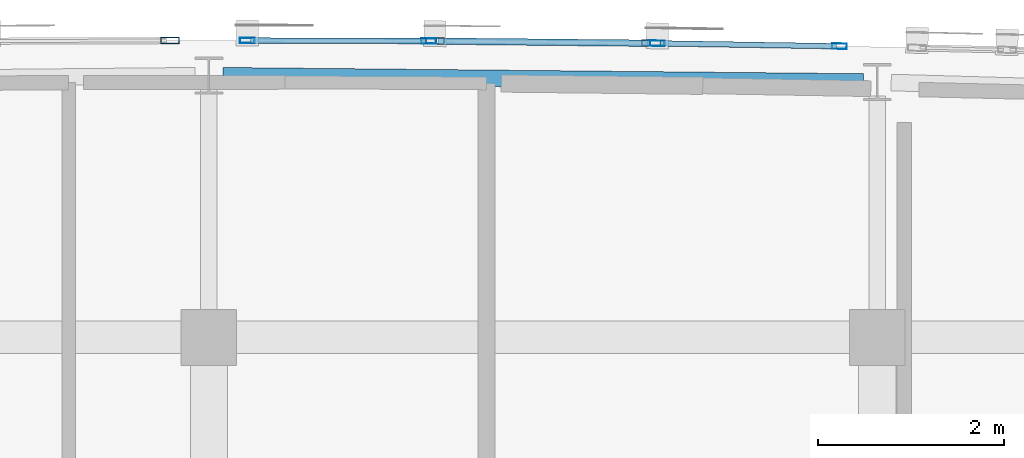
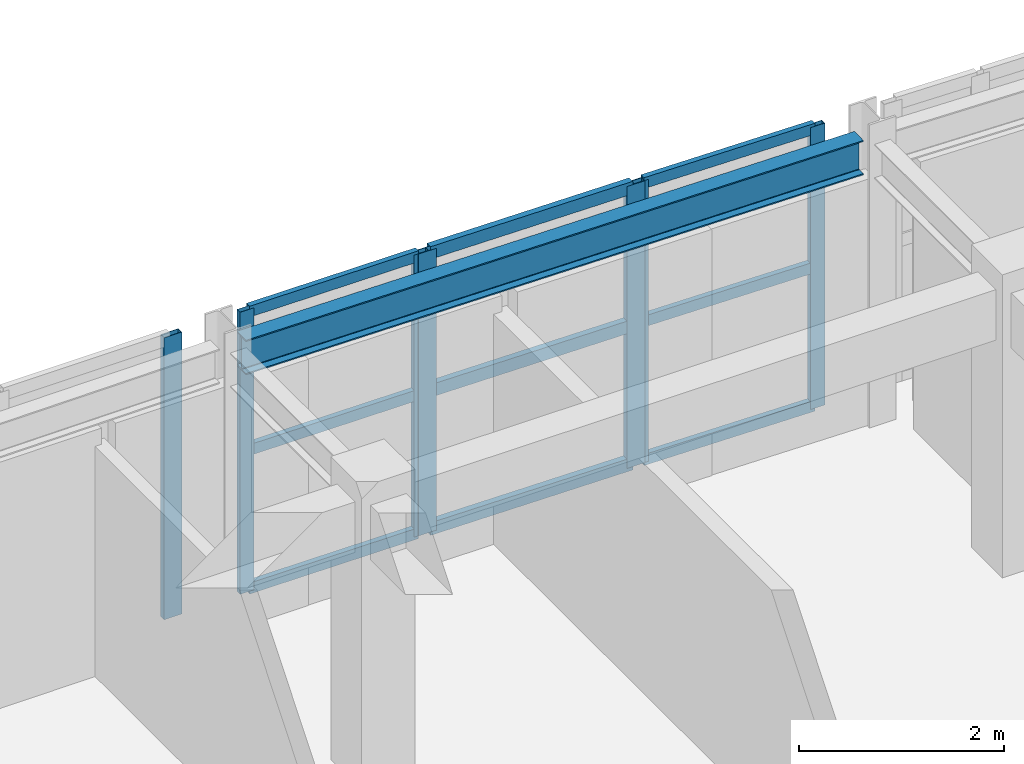
# One storey, part 19 of 50: 16 members, 1 beam, 4 elements without a shape of their own.
"""IFC4 building model written with IfcOpenShell, lengths in metres."""

from ifc_helpers import new_model, si_unit, direction, frame, origin, origin_2d, place, context, subcontext, project, spatial, hollow_rectangle, i_section, extrude, material, layer, layer_set, material_profile, profile_set, type_object, element, aggregate, save


model = new_model("IFC4")

# Units and contexts
model_context = context("Model", 3, precision=1e-05, world=origin(), true_north=direction((0.0, 1.0)))
body_context = subcontext(model_context, "Body", "Model", "MODEL_VIEW")
ifc_project = project(units=[si_unit("LENGTHUNIT", "METRE"), si_unit("AREAUNIT", "SQUARE_METRE"), si_unit("VOLUMEUNIT", "CUBIC_METRE"), si_unit("PLANEANGLEUNIT", "RADIAN"), si_unit("MASSUNIT", "GRAM", prefix="KILO")], contexts=[model_context])

# Site, building, storey
site_placement = place(None, origin())
site = spatial("IfcSite", under=ifc_project, at=site_placement, CompositionType="ELEMENT")
building_placement = place(site_placement, origin())
building = spatial("IfcBuilding", under=site, at=building_placement, Name="Carrowvane Square Congress Hotel", CompositionType="ELEMENT")
storey_placement = place(building_placement, frame((0.0, 0.0, 22.800048828125)))
storey = spatial("IfcBuildingStorey", under=building, at=storey_placement, Name="L05", CompositionType="ELEMENT", Elevation=22.800048828125)

# Beam
ifc_material_1 = material(Name="Steel S355", Category="steel")
ifc_material_profile_1 = material_profile(ifc_material_1, i_section(OverallWidth=0.1787109375, OverallDepth=0.409423828125, WebThickness=0.0087890625, FlangeThickness=0.014404296875, FilletRadius=0.01025390625, at=origin_2d()), Name="UKB 406x178x67")
ifc_profile_set_1 = profile_set([ifc_material_profile_1], Name="Steel S355")
beam_type = type_object("IfcBeamType", Name="BM-ST-UKB406", PredefinedType="BEAM", material=ifc_profile_set_1)
beam_placement = place(storey_placement, frame((98.14990234375, 116.218505859375, 3.145263671875), z_axis=(0.999952666563, -0.00972957518, 0.0), x_axis=(0.00972957518, 0.999952666563, 0.0)))
element("IfcBeam", 1, at=beam_placement, inside=storey, type_object=beam_type, Name="L06 curved north spandrel", PredefinedType="BEAM", context=body_context, shape_type="SweptSolid", body=[
    extrude(i_section(OverallWidth=0.1787109375, OverallDepth=0.409423828125, WebThickness=0.0087890625, FlangeThickness=0.014404296875, FilletRadius=0.01025390625, at=origin_2d()), origin(), (0.0, 0.0, 1.0), 6.900390625),
])

# Curtain wall, members
ifc_material_2 = material(Name="Anodised aluminium", Category="aluminium")
ifc_layer_1 = layer(ifc_material_2, 0.2099609375)
ifc_layer_set_1 = layer_set([ifc_layer_1], Name="Anodised aluminium")
curtain_wall_type_1 = type_object("IfcCurtainWallType", Name="CW-SYS-5", PredefinedType="NOTDEFINED", material=ifc_layer_set_1)
curtain_wall_1_placement = place(storey_placement, origin())
curtain_wall_1 = element("IfcCurtainWall", 2, at=curtain_wall_1_placement, inside=storey, type_object=curtain_wall_type_1, Name="L05 unitised curtain wall 332", PredefinedType="NOTDEFINED")
ifc_material_3 = material(Name="Anodised aluminium", Category="aluminium")
ifc_material_profile_2 = material_profile(ifc_material_3, hollow_rectangle(XDim=0.06005859375, YDim=0.159912109375, WallThickness=0.00390625, at=origin_2d()), Name="CW-ML 60x160x4")
ifc_profile_set_2 = profile_set([ifc_material_profile_2], Name="Anodised aluminium")
member_type_1 = type_object("IfcMemberType", Name="CW-MUL-1", PredefinedType="MULLION", material=ifc_profile_set_2)
member_1_placement = place(storey_placement, frame((98.414794921875, 116.5986328125, 0.0), z_axis=(0.0, 0.0, 1.0), x_axis=(0.003270307911, 0.999994652529, 0.0)))
member_1 = element("IfcMember", 3, at=member_1_placement, type_object=member_type_1, Name="CW-5 mullion 1", PredefinedType="MULLION", context=body_context, shape_type="SweptSolid", body=[
    extrude(hollow_rectangle(XDim=0.06005859375, YDim=0.159912109375, WallThickness=0.00390625, at=origin_2d()), origin(), (0.0, 0.0, 1.0), 3.349853515625),
])
member_2_placement = place(storey_placement, frame((100.369873046875, 116.59228515625, 0.0), z_axis=(0.0, 0.0, 1.0), x_axis=(0.003270307911, 0.999994652529, 0.0)))
member_2 = element("IfcMember", 4, at=member_2_placement, type_object=member_type_1, Name="CW-5 mullion 2", PredefinedType="MULLION", context=body_context, shape_type="SweptSolid", body=[
    extrude(hollow_rectangle(XDim=0.06005859375, YDim=0.159912109375, WallThickness=0.00390625, at=origin_2d()), origin(), (0.0, 0.0, 1.0), 3.349853515625),
])

ifc_material_4 = material(Name="Anodised aluminium", Category="aluminium")
ifc_layer_2 = layer(ifc_material_4, 0.23388671875)
ifc_layer_set_2 = layer_set([ifc_layer_2], Name="Anodised aluminium")
curtain_wall_type_2 = type_object("IfcCurtainWallType", Name="CW-SYS-7", PredefinedType="NOTDEFINED", material=ifc_layer_set_2)
curtain_wall_2_placement = place(storey_placement, origin())
curtain_wall_2 = element("IfcCurtainWall", 5, at=curtain_wall_2_placement, inside=storey, type_object=curtain_wall_type_2, Name="L05 unitised curtain wall 334", PredefinedType="NOTDEFINED")
member_3_placement = place(storey_placement, frame((102.830078125, 116.568115234375, 0.0), z_axis=(0.0, 0.0, 1.0), x_axis=(0.016215981364, 0.99986851233, 0.0)))
member_3 = element("IfcMember", 6, at=member_3_placement, type_object=member_type_1, Name="CW-7 mullion 1", PredefinedType="MULLION", context=body_context, shape_type="SweptSolid", body=[
    extrude(hollow_rectangle(XDim=0.06005859375, YDim=0.159912109375, WallThickness=0.00390625, at=origin_2d()), origin(), (0.0, 0.0, 1.0), 3.349853515625),
])
member_4_placement = place(storey_placement, frame((104.79248046875, 116.536376953125, 0.0), z_axis=(0.0, 0.0, 1.0), x_axis=(0.016215981364, 0.99986851233, 0.0)))
member_4 = element("IfcMember", 7, at=member_4_placement, type_object=member_type_1, Name="CW-7 mullion 2", PredefinedType="MULLION", context=body_context, shape_type="SweptSolid", body=[
    extrude(hollow_rectangle(XDim=0.06005859375, YDim=0.159912109375, WallThickness=0.00390625, at=origin_2d()), origin(), (0.0, 0.0, 1.0), 3.349853515625),
])

# Curtain wall, member
ifc_material_5 = material(Name="Anodised aluminium", Category="aluminium")
ifc_layer_3 = layer(ifc_material_5, 0.197998046875)
ifc_layer_set_3 = layer_set([ifc_layer_3], Name="Anodised aluminium")
curtain_wall_type_3 = type_object("IfcCurtainWallType", Name="CW-SYS-4", PredefinedType="NOTDEFINED", material=ifc_layer_set_3)
curtain_wall_3_placement = place(storey_placement, origin())
curtain_wall_3 = element("IfcCurtainWall", 8, at=curtain_wall_3_placement, inside=storey, type_object=curtain_wall_type_3, Name="L05 unitised curtain wall 331", PredefinedType="NOTDEFINED")
ifc_material_6 = material(Name="Anodised aluminium", Category="aluminium")
ifc_material_profile_3 = material_profile(ifc_material_6, hollow_rectangle(XDim=0.070068359375, YDim=0.199951171875, WallThickness=0.0048828125, at=origin_2d()), Name="CW-ML 70x200x5")
ifc_profile_set_3 = profile_set([ifc_material_profile_3], Name="Anodised aluminium")
member_type_2 = type_object("IfcMemberType", Name="CW-MUL-2", PredefinedType="MULLION", material=ifc_profile_set_3)
member_5_placement = place(storey_placement, frame((97.580078125, 116.5986328125, 0.0), z_axis=(0.0, 0.0, 1.0), x_axis=(-0.003270307911, 0.999994652529, 0.0)))
member_5 = element("IfcMember", 9, at=member_5_placement, type_object=member_type_2, Name="CW-4 mullion 2", PredefinedType="MULLION", context=body_context, shape_type="SweptSolid", body=[
    extrude(hollow_rectangle(XDim=0.070068359375, YDim=0.199951171875, WallThickness=0.0048828125, at=origin_2d()), origin(), (0.0, 0.0, 1.0), 3.349853515625),
])
aggregate(curtain_wall_3, [member_5])

# Curtain wall, members
ifc_material_7 = material(Name="Anodised aluminium", Category="aluminium")
ifc_layer_4 = layer(ifc_material_7, 0.221923828125)
ifc_layer_set_4 = layer_set([ifc_layer_4], Name="Anodised aluminium")
curtain_wall_type_4 = type_object("IfcCurtainWallType", Name="CW-SYS-6", PredefinedType="NOTDEFINED", material=ifc_layer_set_4)
curtain_wall_4_placement = place(storey_placement, origin())
curtain_wall_4 = element("IfcCurtainWall", 10, at=curtain_wall_4_placement, inside=storey, type_object=curtain_wall_type_4, Name="L05 unitised curtain wall 333", PredefinedType="NOTDEFINED")
member_6_placement = place(storey_placement, frame((100.43505859375, 116.591796875, 0.0), z_axis=(0.0, 0.0, 1.0), x_axis=(0.009782905924, 0.999952146231, 0.0)))
member_6 = element("IfcMember", 11, at=member_6_placement, type_object=member_type_2, Name="CW-6 mullion 1", PredefinedType="MULLION", context=body_context, shape_type="SweptSolid", body=[
    extrude(hollow_rectangle(XDim=0.070068359375, YDim=0.199951171875, WallThickness=0.0048828125, at=origin_2d()), origin(), (0.0, 0.0, 1.0), 3.349853515625),
])
member_7_placement = place(storey_placement, frame((102.764892578125, 116.569091796875, 0.0), z_axis=(0.0, 0.0, 1.0), x_axis=(0.009782905924, 0.999952146231, 0.0)))
member_7 = element("IfcMember", 12, at=member_7_placement, type_object=member_type_2, Name="CW-6 mullion 2", PredefinedType="MULLION", context=body_context, shape_type="SweptSolid", body=[
    extrude(hollow_rectangle(XDim=0.070068359375, YDim=0.199951171875, WallThickness=0.0048828125, at=origin_2d()), origin(), (0.0, 0.0, 1.0), 3.349853515625),
])

# Member
ifc_material_8 = material(Name="Anodised aluminium", Category="aluminium")
ifc_material_profile_4 = material_profile(ifc_material_8, hollow_rectangle(XDim=0.06005859375, YDim=0.1298828125, WallThickness=0.00390625, at=origin_2d()), Name="CW-TR 60x130x4")
ifc_profile_set_4 = profile_set([ifc_material_profile_4], Name="Anodised aluminium")
member_type_3 = type_object("IfcMemberType", Name="CW-TRN-1", PredefinedType="USERDEFINED", material=ifc_profile_set_4)
member_8_placement = place(storey_placement, frame((98.44482421875, 116.5986328125, 0.030029296875), z_axis=(0.999994391408, -0.003349201878, 0.0), x_axis=(0.003349201878, 0.999994391408, 0.0)))
member_8 = element("IfcMember", 13, at=member_8_placement, type_object=member_type_3, Name="CW-5 transom 1.1", ObjectType="TRANSOM", PredefinedType="USERDEFINED", context=body_context, shape_type="SweptSolid", body=[
    extrude(hollow_rectangle(XDim=0.06005859375, YDim=0.1298828125, WallThickness=0.00390625, at=origin_2d()), origin(), (0.0, 0.0, 1.0), 1.895263671875),
])

member_9_placement = place(storey_placement, frame((98.44482421875, 116.5986328125, 1.675048828125), z_axis=(0.999994391408, -0.003349201878, 0.0), x_axis=(0.003349201878, 0.999994391408, 0.0)))
member_9 = element("IfcMember", 14, at=member_9_placement, type_object=member_type_3, Name="CW-5 transom 1.2", ObjectType="TRANSOM", PredefinedType="USERDEFINED", context=body_context, shape_type="SweptSolid", body=[
    extrude(hollow_rectangle(XDim=0.06005859375, YDim=0.1298828125, WallThickness=0.00390625, at=origin_2d()), origin(), (0.0, 0.0, 1.0), 1.895263671875),
])

member_10_placement = place(storey_placement, frame((98.44482421875, 116.5986328125, 3.320068359375), z_axis=(0.999994391408, -0.003349201878, 0.0), x_axis=(0.003349201878, 0.999994391408, 0.0)))
member_10 = element("IfcMember", 15, at=member_10_placement, type_object=member_type_3, Name="CW-5 transom 1.3", ObjectType="TRANSOM", PredefinedType="USERDEFINED", context=body_context, shape_type="SweptSolid", body=[
    extrude(hollow_rectangle(XDim=0.06005859375, YDim=0.1298828125, WallThickness=0.00390625, at=origin_2d()), origin(), (0.0, 0.0, 1.0), 1.895263671875),
])

aggregate(curtain_wall_1, [member_1, member_2, member_8, member_9, member_10])

member_11_placement = place(storey_placement, frame((102.860107421875, 116.567626953125, 0.030029296875), z_axis=(0.999869284212, -0.016168317481, 0.0), x_axis=(0.016168317481, 0.999869284212, 0.0)))
member_11 = element("IfcMember", 16, at=member_11_placement, type_object=member_type_3, Name="CW-7 transom 1.1", ObjectType="TRANSOM", PredefinedType="USERDEFINED", context=body_context, shape_type="SweptSolid", body=[
    extrude(hollow_rectangle(XDim=0.06005859375, YDim=0.1298828125, WallThickness=0.00390625, at=origin_2d()), origin(), (0.0, 0.0, 1.0), 1.902587890625),
])

member_12_placement = place(storey_placement, frame((102.860107421875, 116.567626953125, 1.675048828125), z_axis=(0.999869284212, -0.016168317481, 0.0), x_axis=(0.016168317481, 0.999869284212, 0.0)))
member_12 = element("IfcMember", 17, at=member_12_placement, type_object=member_type_3, Name="CW-7 transom 1.2", ObjectType="TRANSOM", PredefinedType="USERDEFINED", context=body_context, shape_type="SweptSolid", body=[
    extrude(hollow_rectangle(XDim=0.06005859375, YDim=0.1298828125, WallThickness=0.00390625, at=origin_2d()), origin(), (0.0, 0.0, 1.0), 1.902587890625),
])

member_13_placement = place(storey_placement, frame((102.860107421875, 116.567626953125, 3.320068359375), z_axis=(0.999869284212, -0.016168317481, 0.0), x_axis=(0.016168317481, 0.999869284212, 0.0)))
member_13 = element("IfcMember", 18, at=member_13_placement, type_object=member_type_3, Name="CW-7 transom 1.3", ObjectType="TRANSOM", PredefinedType="USERDEFINED", context=body_context, shape_type="SweptSolid", body=[
    extrude(hollow_rectangle(XDim=0.06005859375, YDim=0.1298828125, WallThickness=0.00390625, at=origin_2d()), origin(), (0.0, 0.0, 1.0), 1.902587890625),
])

aggregate(curtain_wall_2, [member_3, member_4, member_11, member_12, member_13])

ifc_material_9 = material(Name="Anodised aluminium", Category="aluminium")
ifc_material_profile_5 = material_profile(ifc_material_9, hollow_rectangle(XDim=0.070068359375, YDim=0.14990234375, WallThickness=0.0048828125, at=origin_2d()), Name="CW-TR 70x150x5")
ifc_profile_set_5 = profile_set([ifc_material_profile_5], Name="Anodised aluminium")
member_type_4 = type_object("IfcMemberType", Name="CW-TRN-2", PredefinedType="USERDEFINED", material=ifc_profile_set_5)
member_14_placement = place(storey_placement, frame((100.469970703125, 116.591552734375, 0.034912109375), z_axis=(0.999951685133, -0.009829923663, 0.0), x_axis=(0.009829923663, 0.999951685133, 0.0)))
member_14 = element("IfcMember", 19, at=member_14_placement, type_object=member_type_4, Name="CW-6 transom 1.1", ObjectType="TRANSOM", PredefinedType="USERDEFINED", context=body_context, shape_type="SweptSolid", body=[
    extrude(hollow_rectangle(XDim=0.070068359375, YDim=0.14990234375, WallThickness=0.0048828125, at=origin_2d()), origin(), (0.0, 0.0, 1.0), 2.260009765625),
])

member_15_placement = place(storey_placement, frame((100.469970703125, 116.591552734375, 1.675048828125), z_axis=(0.999951685133, -0.009829923663, 0.0), x_axis=(0.009829923663, 0.999951685133, 0.0)))
member_15 = element("IfcMember", 20, at=member_15_placement, type_object=member_type_4, Name="CW-6 transom 1.2", ObjectType="TRANSOM", PredefinedType="USERDEFINED", context=body_context, shape_type="SweptSolid", body=[
    extrude(hollow_rectangle(XDim=0.070068359375, YDim=0.14990234375, WallThickness=0.0048828125, at=origin_2d()), origin(), (0.0, 0.0, 1.0), 2.260009765625),
])

member_16_placement = place(storey_placement, frame((100.469970703125, 116.591552734375, 3.31494140625), z_axis=(0.999951685133, -0.009829923663, 0.0), x_axis=(0.009829923663, 0.999951685133, 0.0)))
member_16 = element("IfcMember", 21, at=member_16_placement, type_object=member_type_4, Name="CW-6 transom 1.3", ObjectType="TRANSOM", PredefinedType="USERDEFINED", context=body_context, shape_type="SweptSolid", body=[
    extrude(hollow_rectangle(XDim=0.070068359375, YDim=0.14990234375, WallThickness=0.0048828125, at=origin_2d()), origin(), (0.0, 0.0, 1.0), 2.260009765625),
])

aggregate(curtain_wall_4, [member_6, member_7, member_14, member_15, member_16])

save(model, "model.ifc")
